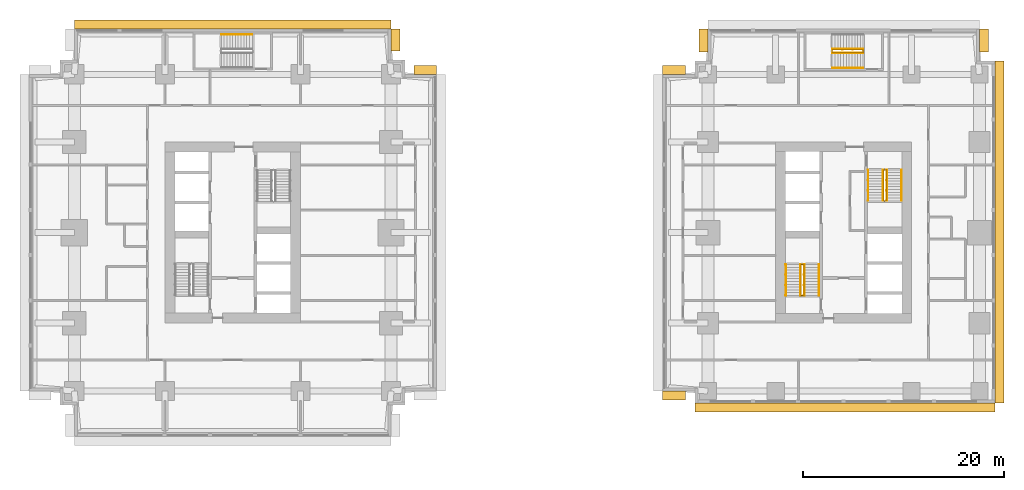
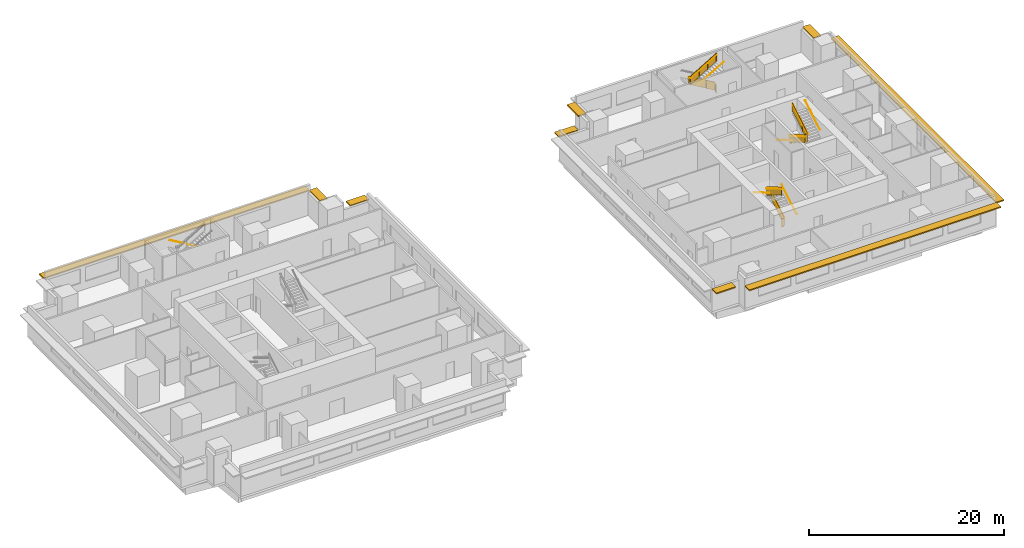
# One storey, part 10 of 11: 15 railings, 9 shading devices.
"""IFC4 building model written with IfcOpenShell, lengths in metres."""

from ifc_helpers import new_model, si_unit, direction, frame, origin, origin_2d, place, context, subcontext, project, spatial, polyline, rectangle, circle, outline, extrude, material, layer, layer_set, type_object, element, save


model = new_model("IFC4")

# Units and contexts
model_context = context("Model", 3, precision=1e-05, world=origin(), true_north=direction((0.0, 1.0)))
body_context = subcontext(model_context, "Body", "Model", "MODEL_VIEW")
ifc_project = project(units=[si_unit("LENGTHUNIT", "METRE"), si_unit("AREAUNIT", "SQUARE_METRE"), si_unit("VOLUMEUNIT", "CUBIC_METRE"), si_unit("PLANEANGLEUNIT", "RADIAN"), si_unit("MASSUNIT", "GRAM", prefix="KILO")], contexts=[model_context])

# Site, building, storey
site_placement = place(None, origin())
site = spatial("IfcSite", under=ifc_project, at=site_placement, CompositionType="ELEMENT")
building_placement = place(site_placement, origin())
building = spatial("IfcBuilding", under=site, at=building_placement, Name="Namib Vertical Campus", CompositionType="ELEMENT")
storey_placement = place(building_placement, frame((0.0, 0.0, 85.0)))
storey = spatial("IfcBuildingStorey", under=building, at=storey_placement, Name="L19", CompositionType="ELEMENT", Elevation=85.0)

# Railings
ifc_material_1 = material(Name="Steel handrail", Category="steel")
railing_type_1 = type_object("IfcRailingType", Name="Handrail 900", PredefinedType="HANDRAIL", material=ifc_material_1)
railing_1_placement = place(storey_placement, frame((78.550048828125, 14.0, 0.166748046875)))
element("IfcRailing", 1, at=railing_1_placement, inside=storey, type_object=railing_type_1, Name="Handrail HR1 B-S1 L19 1", PredefinedType="HANDRAIL", context=body_context, shape_type="SweptSolid", body=[
    extrude(circle(Radius=0.02392578125, at=origin_2d()), frame((0.0, 0.0, 0.8759765625), z_axis=(0.0, 0.859308565015, 0.511457515432), x_axis=(-1.0, 0.0, 0.0)), (0.0, 0.0, 1.0), 3.58447265625),
    extrude(circle(Radius=0.008056640625, at=origin_2d()), frame((0.0, 0.0, 0.8759765625), z_axis=(1.0, 0.0, 0.0), x_axis=(0.0, 0.0, 1.0)), (0.0, 0.0, 1.0), 0.050048828125),
    extrude(circle(Radius=0.008056640625, at=origin_2d()), frame((0.0, 1.026611328125, 1.48681640625), z_axis=(1.0, 0.0, 0.0), x_axis=(0.0, 0.0, 1.0)), (0.0, 0.0, 1.0), 0.050048828125),
    extrude(circle(Radius=0.008056640625, at=origin_2d()), frame((0.0, 2.053466796875, 2.09814453125), z_axis=(1.0, 0.0, 0.0), x_axis=(0.0, 0.0, 1.0)), (0.0, 0.0, 1.0), 0.050048828125),
    extrude(circle(Radius=0.008056640625, at=origin_2d()), frame((0.0, 3.080078125, 2.708984375), z_axis=(1.0, 0.0, 0.0), x_axis=(0.0, 0.0, 1.0)), (0.0, 0.0, 1.0), 0.050048828125),
])
railing_2_placement = place(storey_placement, frame((75.25, 17.080078125, 2.166748046875)))
element("IfcRailing", 2, at=railing_2_placement, inside=storey, type_object=railing_type_1, Name="Handrail HR1 B-S1 L19 2", PredefinedType="HANDRAIL", context=body_context, shape_type="SweptSolid", body=[
    extrude(circle(Radius=0.02392578125, at=origin_2d()), frame((0.0, 0.0, 0.8759765625), z_axis=(0.0, -0.859308565015, 0.511457515432), x_axis=(1.0, 0.0, 0.0)), (0.0, 0.0, 1.0), 3.58447265625),
    extrude(circle(Radius=0.008056640625, at=origin_2d()), frame((0.0, 0.0, 0.8759765625), z_axis=(-1.0, 0.0, 0.0), x_axis=(0.0, 0.0, 1.0)), (0.0, 0.0, 1.0), 0.050048828125),
    extrude(circle(Radius=0.008056640625, at=origin_2d()), frame((0.0, -1.026611328125, 1.48681640625), z_axis=(-1.0, 0.0, 0.0), x_axis=(0.0, 0.0, 1.0)), (0.0, 0.0, 1.0), 0.050048828125),
    extrude(circle(Radius=0.008056640625, at=origin_2d()), frame((0.0, -2.053466796875, 2.09814453125), z_axis=(-1.0, 0.0, 0.0), x_axis=(0.0, 0.0, 1.0)), (0.0, 0.0, 1.0), 0.050048828125),
    extrude(circle(Radius=0.008056640625, at=origin_2d()), frame((0.0, -3.080078125, 2.708984375), z_axis=(-1.0, 0.0, 0.0), x_axis=(0.0, 0.0, 1.0)), (0.0, 0.0, 1.0), 0.050048828125),
])
railing_3_placement = place(storey_placement, frame((77.10009765625, 14.0, 0.166748046875)))
element("IfcRailing", 3, at=railing_3_placement, inside=storey, type_object=railing_type_1, Name="Handrail HR1 B-S1 L19 1 at the well", PredefinedType="HANDRAIL", context=body_context, shape_type="SweptSolid", body=[
    extrude(circle(Radius=0.02392578125, at=origin_2d()), frame((0.0, 0.0, 0.8759765625), z_axis=(0.0, 0.859308565015, 0.511457515432), x_axis=(-1.0, 0.0, 0.0)), (0.0, 0.0, 1.0), 3.58447265625),
    extrude(circle(Radius=0.008056640625, at=origin_2d()), frame((0.0, 0.0, 0.8759765625), z_axis=(-1.0, 0.0, 0.0), x_axis=(0.0, 0.0, 1.0)), (0.0, 0.0, 1.0), 0.0400390625),
    extrude(circle(Radius=0.008056640625, at=origin_2d()), frame((0.0, 1.026611328125, 1.48681640625), z_axis=(-1.0, 0.0, 0.0), x_axis=(0.0, 0.0, 1.0)), (0.0, 0.0, 1.0), 0.0400390625),
    extrude(circle(Radius=0.008056640625, at=origin_2d()), frame((0.0, 2.053466796875, 2.09814453125), z_axis=(-1.0, 0.0, 0.0), x_axis=(0.0, 0.0, 1.0)), (0.0, 0.0, 1.0), 0.0400390625),
    extrude(circle(Radius=0.008056640625, at=origin_2d()), frame((0.0, 3.080078125, 2.708984375), z_axis=(-1.0, 0.0, 0.0), x_axis=(0.0, 0.0, 1.0)), (0.0, 0.0, 1.0), 0.0400390625),
])
railing_4_placement = place(storey_placement, frame((76.699951171875, 17.080078125, 2.166748046875)))
element("IfcRailing", 4, at=railing_4_placement, inside=storey, type_object=railing_type_1, Name="Handrail HR1 B-S1 L19 2 at the well", PredefinedType="HANDRAIL", context=body_context, shape_type="SweptSolid", body=[
    extrude(circle(Radius=0.02392578125, at=origin_2d()), frame((0.0, 0.0, 0.8759765625), z_axis=(0.0, -0.859308565015, 0.511457515432), x_axis=(1.0, 0.0, 0.0)), (0.0, 0.0, 1.0), 3.58447265625),
    extrude(circle(Radius=0.008056640625, at=origin_2d()), frame((0.0, 0.0, 0.8759765625), z_axis=(1.0, 0.0, 0.0), x_axis=(0.0, 0.0, 1.0)), (0.0, 0.0, 1.0), 0.0400390625),
    extrude(circle(Radius=0.008056640625, at=origin_2d()), frame((0.0, -1.026611328125, 1.48681640625), z_axis=(1.0, 0.0, 0.0), x_axis=(0.0, 0.0, 1.0)), (0.0, 0.0, 1.0), 0.0400390625),
    extrude(circle(Radius=0.008056640625, at=origin_2d()), frame((0.0, -2.053466796875, 2.09814453125), z_axis=(1.0, 0.0, 0.0), x_axis=(0.0, 0.0, 1.0)), (0.0, 0.0, 1.0), 0.0400390625),
    extrude(circle(Radius=0.008056640625, at=origin_2d()), frame((0.0, -3.080078125, 2.708984375), z_axis=(1.0, 0.0, 0.0), x_axis=(0.0, 0.0, 1.0)), (0.0, 0.0, 1.0), 0.0400390625),
])
railing_5_placement = place(storey_placement, frame((83.449951171875, 26.5, 0.166748046875)))
element("IfcRailing", 5, at=railing_5_placement, inside=storey, type_object=railing_type_1, Name="Handrail HR1 B-S2 L19 1", PredefinedType="HANDRAIL", context=body_context, shape_type="SweptSolid", body=[
    extrude(circle(Radius=0.02392578125, at=origin_2d()), frame((0.0, 0.0, 0.8759765625), z_axis=(0.0, -0.859308565015, 0.511457515432), x_axis=(1.0, 0.0, 0.0)), (0.0, 0.0, 1.0), 3.58447265625),
    extrude(circle(Radius=0.008056640625, at=origin_2d()), frame((0.0, 0.0, 0.8759765625), z_axis=(-1.0, 0.0, 0.0), x_axis=(0.0, 0.0, 1.0)), (0.0, 0.0, 1.0), 0.050048828125),
    extrude(circle(Radius=0.008056640625, at=origin_2d()), frame((0.0, -1.026611328125, 1.48681640625), z_axis=(-1.0, 0.0, 0.0), x_axis=(0.0, 0.0, 1.0)), (0.0, 0.0, 1.0), 0.050048828125),
    extrude(circle(Radius=0.008056640625, at=origin_2d()), frame((0.0, -2.053466796875, 2.09814453125), z_axis=(-1.0, 0.0, 0.0), x_axis=(0.0, 0.0, 1.0)), (0.0, 0.0, 1.0), 0.050048828125),
    extrude(circle(Radius=0.008056640625, at=origin_2d()), frame((0.0, -3.080078125, 2.708984375), z_axis=(-1.0, 0.0, 0.0), x_axis=(0.0, 0.0, 1.0)), (0.0, 0.0, 1.0), 0.050048828125),
])
railing_6_placement = place(storey_placement, frame((86.75, 23.419921875, 2.166748046875)))
element("IfcRailing", 6, at=railing_6_placement, inside=storey, type_object=railing_type_1, Name="Handrail HR1 B-S2 L19 2", PredefinedType="HANDRAIL", context=body_context, shape_type="SweptSolid", body=[
    extrude(circle(Radius=0.02392578125, at=origin_2d()), frame((0.0, 0.0, 0.8759765625), z_axis=(0.0, 0.859308565015, 0.511457515432), x_axis=(-1.0, 0.0, 0.0)), (0.0, 0.0, 1.0), 3.58447265625),
    extrude(circle(Radius=0.008056640625, at=origin_2d()), frame((0.0, 0.0, 0.8759765625), z_axis=(1.0, 0.0, 0.0), x_axis=(0.0, 0.0, 1.0)), (0.0, 0.0, 1.0), 0.050048828125),
    extrude(circle(Radius=0.008056640625, at=origin_2d()), frame((0.0, 1.026611328125, 1.48681640625), z_axis=(1.0, 0.0, 0.0), x_axis=(0.0, 0.0, 1.0)), (0.0, 0.0, 1.0), 0.050048828125),
    extrude(circle(Radius=0.008056640625, at=origin_2d()), frame((0.0, 2.053466796875, 2.09814453125), z_axis=(1.0, 0.0, 0.0), x_axis=(0.0, 0.0, 1.0)), (0.0, 0.0, 1.0), 0.050048828125),
    extrude(circle(Radius=0.008056640625, at=origin_2d()), frame((0.0, 3.080078125, 2.708984375), z_axis=(1.0, 0.0, 0.0), x_axis=(0.0, 0.0, 1.0)), (0.0, 0.0, 1.0), 0.050048828125),
])
railing_7_placement = place(storey_placement, frame((84.89990234375, 26.5, 0.166748046875)))
element("IfcRailing", 7, at=railing_7_placement, inside=storey, type_object=railing_type_1, Name="Handrail HR1 B-S2 L19 1 at the well", PredefinedType="HANDRAIL", context=body_context, shape_type="SweptSolid", body=[
    extrude(circle(Radius=0.02392578125, at=origin_2d()), frame((0.0, 0.0, 0.8759765625), z_axis=(0.0, -0.859308565015, 0.511457515432), x_axis=(1.0, 0.0, 0.0)), (0.0, 0.0, 1.0), 3.58447265625),
    extrude(circle(Radius=0.008056640625, at=origin_2d()), frame((0.0, 0.0, 0.8759765625), z_axis=(1.0, 0.0, 0.0), x_axis=(0.0, 0.0, 1.0)), (0.0, 0.0, 1.0), 0.0400390625),
    extrude(circle(Radius=0.008056640625, at=origin_2d()), frame((0.0, -1.026611328125, 1.48681640625), z_axis=(1.0, 0.0, 0.0), x_axis=(0.0, 0.0, 1.0)), (0.0, 0.0, 1.0), 0.0400390625),
    extrude(circle(Radius=0.008056640625, at=origin_2d()), frame((0.0, -2.053466796875, 2.09814453125), z_axis=(1.0, 0.0, 0.0), x_axis=(0.0, 0.0, 1.0)), (0.0, 0.0, 1.0), 0.0400390625),
    extrude(circle(Radius=0.008056640625, at=origin_2d()), frame((0.0, -3.080078125, 2.708984375), z_axis=(1.0, 0.0, 0.0), x_axis=(0.0, 0.0, 1.0)), (0.0, 0.0, 1.0), 0.0400390625),
])
railing_8_placement = place(storey_placement, frame((85.300048828125, 23.419921875, 2.166748046875)))
element("IfcRailing", 8, at=railing_8_placement, inside=storey, type_object=railing_type_1, Name="Handrail HR1 B-S2 L19 2 at the well", PredefinedType="HANDRAIL", context=body_context, shape_type="SweptSolid", body=[
    extrude(circle(Radius=0.02392578125, at=origin_2d()), frame((0.0, 0.0, 0.8759765625), z_axis=(0.0, 0.859308565015, 0.511457515432), x_axis=(-1.0, 0.0, 0.0)), (0.0, 0.0, 1.0), 3.58447265625),
    extrude(circle(Radius=0.008056640625, at=origin_2d()), frame((0.0, 0.0, 0.8759765625), z_axis=(-1.0, 0.0, 0.0), x_axis=(0.0, 0.0, 1.0)), (0.0, 0.0, 1.0), 0.0400390625),
    extrude(circle(Radius=0.008056640625, at=origin_2d()), frame((0.0, 1.026611328125, 1.48681640625), z_axis=(-1.0, 0.0, 0.0), x_axis=(0.0, 0.0, 1.0)), (0.0, 0.0, 1.0), 0.0400390625),
    extrude(circle(Radius=0.008056640625, at=origin_2d()), frame((0.0, 2.053466796875, 2.09814453125), z_axis=(-1.0, 0.0, 0.0), x_axis=(0.0, 0.0, 1.0)), (0.0, 0.0, 1.0), 0.0400390625),
    extrude(circle(Radius=0.008056640625, at=origin_2d()), frame((0.0, 3.080078125, 2.708984375), z_axis=(-1.0, 0.0, 0.0), x_axis=(0.0, 0.0, 1.0)), (0.0, 0.0, 1.0), 0.0400390625),
])
railing_9_placement = place(storey_placement, frame((22.199951171875, 39.949951171875, 0.166748046875)))
element("IfcRailing", 9, at=railing_9_placement, inside=storey, type_object=railing_type_1, Name="Handrail HR1 A-S3 L19 1", PredefinedType="HANDRAIL", context=body_context, shape_type="SweptSolid", body=[
    extrude(circle(Radius=0.02392578125, at=origin_2d()), frame((0.0, 0.0, 0.8759765625), z_axis=(-0.859290745958, 0.0, 0.51148745235), x_axis=(0.0, -1.0, 0.0)), (0.0, 0.0, 1.0), 3.584228515625),
    extrude(circle(Radius=0.008056640625, at=origin_2d()), frame((0.0, 0.0, 0.8759765625), z_axis=(0.0, 1.0, 0.0), x_axis=(0.0, 0.0, 1.0)), (0.0, 0.0, 1.0), 0.050048828125),
    extrude(circle(Radius=0.008056640625, at=origin_2d()), frame((-1.026611328125, 0.0, 1.48681640625), z_axis=(0.0, 1.0, 0.0), x_axis=(0.0, 0.0, 1.0)), (0.0, 0.0, 1.0), 0.050048828125),
    extrude(circle(Radius=0.008056640625, at=origin_2d()), frame((-2.05322265625, 0.0, 2.09814453125), z_axis=(0.0, 1.0, 0.0), x_axis=(0.0, 0.0, 1.0)), (0.0, 0.0, 1.0), 0.050048828125),
    extrude(circle(Radius=0.008056640625, at=origin_2d()), frame((-3.079833984375, 0.0, 2.708984375), z_axis=(0.0, 1.0, 0.0), x_axis=(0.0, 0.0, 1.0)), (0.0, 0.0, 1.0), 0.050048828125),
])
railing_10_placement = place(storey_placement, frame((79.8701171875, 36.64990234375, 2.166748046875)))
element("IfcRailing", 10, at=railing_10_placement, inside=storey, type_object=railing_type_1, Name="Handrail HR1 B-S3 L19 2", PredefinedType="HANDRAIL", context=body_context, shape_type="SweptSolid", body=[
    extrude(circle(Radius=0.02392578125, at=origin_2d()), frame((0.0, 0.0, 0.8759765625), z_axis=(0.859290745958, 0.0, 0.51148745235), x_axis=(0.0, 1.0, 0.0)), (0.0, 0.0, 1.0), 3.584228515625),
    extrude(circle(Radius=0.008056640625, at=origin_2d()), frame((0.0, 0.0, 0.8759765625), z_axis=(0.0, -1.0, 0.0), x_axis=(0.0, 0.0, 1.0)), (0.0, 0.0, 1.0), 0.050048828125),
    extrude(circle(Radius=0.008056640625, at=origin_2d()), frame((1.026611328125, 0.0, 1.48681640625), z_axis=(0.0, -1.0, 0.0), x_axis=(0.0, 0.0, 1.0)), (0.0, 0.0, 1.0), 0.050048828125),
    extrude(circle(Radius=0.008056640625, at=origin_2d()), frame((2.05322265625, 0.0, 2.09814453125), z_axis=(0.0, -1.0, 0.0), x_axis=(0.0, 0.0, 1.0)), (0.0, 0.0, 1.0), 0.050048828125),
    extrude(circle(Radius=0.008056640625, at=origin_2d()), frame((3.079833984375, 0.0, 2.708984375), z_axis=(0.0, -1.0, 0.0), x_axis=(0.0, 0.0, 1.0)), (0.0, 0.0, 1.0), 0.050048828125),
])
railing_11_placement = place(storey_placement, frame((82.949951171875, 38.5, 0.166748046875)))
element("IfcRailing", 11, at=railing_11_placement, inside=storey, type_object=railing_type_1, Name="Handrail HR1 B-S3 L19 1 at the well", PredefinedType="HANDRAIL", context=body_context, shape_type="SweptSolid", body=[
    extrude(circle(Radius=0.02392578125, at=origin_2d()), frame((0.0, 0.0, 0.8759765625), z_axis=(-0.859290745958, 0.0, 0.51148745235), x_axis=(0.0, -1.0, 0.0)), (0.0, 0.0, 1.0), 3.584228515625),
    extrude(circle(Radius=0.008056640625, at=origin_2d()), frame((0.0, 0.0, 0.8759765625), z_axis=(0.0, -1.0, 0.0), x_axis=(0.0, 0.0, 1.0)), (0.0, 0.0, 1.0), 0.0400390625),
    extrude(circle(Radius=0.008056640625, at=origin_2d()), frame((-1.026611328125, 0.0, 1.48681640625), z_axis=(0.0, -1.0, 0.0), x_axis=(0.0, 0.0, 1.0)), (0.0, 0.0, 1.0), 0.0400390625),
    extrude(circle(Radius=0.008056640625, at=origin_2d()), frame((-2.05322265625, 0.0, 2.09814453125), z_axis=(0.0, -1.0, 0.0), x_axis=(0.0, 0.0, 1.0)), (0.0, 0.0, 1.0), 0.0400390625),
    extrude(circle(Radius=0.008056640625, at=origin_2d()), frame((-3.079833984375, 0.0, 2.708984375), z_axis=(0.0, -1.0, 0.0), x_axis=(0.0, 0.0, 1.0)), (0.0, 0.0, 1.0), 0.0400390625),
])
railing_12_placement = place(storey_placement, frame((79.8701171875, 38.10009765625, 2.166748046875)))
element("IfcRailing", 12, at=railing_12_placement, inside=storey, type_object=railing_type_1, Name="Handrail HR1 B-S3 L19 2 at the well", PredefinedType="HANDRAIL", context=body_context, shape_type="SweptSolid", body=[
    extrude(circle(Radius=0.02392578125, at=origin_2d()), frame((0.0, 0.0, 0.8759765625), z_axis=(0.859290745958, 0.0, 0.51148745235), x_axis=(0.0, 1.0, 0.0)), (0.0, 0.0, 1.0), 3.584228515625),
    extrude(circle(Radius=0.008056640625, at=origin_2d()), frame((0.0, 0.0, 0.8759765625), z_axis=(0.0, 1.0, 0.0), x_axis=(0.0, 0.0, 1.0)), (0.0, 0.0, 1.0), 0.0400390625),
    extrude(circle(Radius=0.008056640625, at=origin_2d()), frame((1.026611328125, 0.0, 1.48681640625), z_axis=(0.0, 1.0, 0.0), x_axis=(0.0, 0.0, 1.0)), (0.0, 0.0, 1.0), 0.0400390625),
    extrude(circle(Radius=0.008056640625, at=origin_2d()), frame((2.05322265625, 0.0, 2.09814453125), z_axis=(0.0, 1.0, 0.0), x_axis=(0.0, 0.0, 1.0)), (0.0, 0.0, 1.0), 0.0400390625),
    extrude(circle(Radius=0.008056640625, at=origin_2d()), frame((3.079833984375, 0.0, 2.708984375), z_axis=(0.0, 1.0, 0.0), x_axis=(0.0, 0.0, 1.0)), (0.0, 0.0, 1.0), 0.0400390625),
])
ifc_material_2 = material(Name="Steel balustrade", Category="steel")
railing_type_2 = type_object("IfcRailingType", Name="Stair guard 1100", PredefinedType="GUARDRAIL", material=ifc_material_2)
railing_13_placement = place(storey_placement, frame((76.75, 14.0, 0.0)))
element("IfcRailing", 13, at=railing_13_placement, inside=storey, type_object=railing_type_2, Name="Stair guard GR1 B-S1 L19", PredefinedType="GUARDRAIL", context=body_context, shape_type="SweptSolid", body=[
    extrude(circle(Radius=0.02392578125, at=origin_2d()), frame((0.0, 0.0, 1.076171875), z_axis=(1.0, 0.0, 0.0), x_axis=(0.0, 1.0, 0.0)), (0.0, 0.0, 1.0), 0.300048828125),
    extrude(outline(polyline([(0.02099609375, 0.050048828125), (0.279052734375, 0.050048828125), (0.279052734375, 1.052001953125), (0.02099609375, 1.052001953125), (0.02099609375, 0.050048828125)])), frame((0.0, 0.010009765625, 0.0), z_axis=(0.0, -1.0, 0.0), x_axis=(1.0, 0.0, 0.0)), (0.0, 0.0, 1.0), 0.02001953125),
    extrude(circle(Radius=0.02392578125, at=origin_2d()), frame((0.300048828125, 0.0, 1.076171875), z_axis=(0.0, 0.0, 1.0), x_axis=(1.0, 0.0, 0.0)), (0.0, 0.0, 1.0), 0.166748046875),
    extrude(circle(Radius=0.02392578125, at=origin_2d()), frame((0.300048828125, 0.0, 1.24267578125), z_axis=(0.0, 0.859308565015, 0.511457515432), x_axis=(-1.0, 0.0, 0.0)), (0.0, 0.0, 1.0), 3.58447265625),
    extrude(outline(polyline([(0.02099609375, 0.0625), (3.05908203125, 1.870849609375), (3.05908203125, 2.872802734375), (0.02099609375, 1.064453125), (0.02099609375, 0.0625)])), frame((0.2900390625, 0.0, 0.166748046875), z_axis=(1.0, 0.0, 0.0), x_axis=(0.0, 1.0, 0.0)), (0.0, 0.0, 1.0), 0.02001953125),
    extrude(circle(Radius=0.02392578125, at=origin_2d()), frame((0.300048828125, 3.080078125, 3.076171875), z_axis=(-1.0, 0.0, 0.0), x_axis=(0.0, -1.0, 0.0)), (0.0, 0.0, 1.0), 0.300048828125),
    extrude(outline(polyline([(0.02099609375, 0.050048828125), (0.279052734375, 0.050048828125), (0.279052734375, 1.052001953125), (0.02099609375, 1.052001953125), (0.02099609375, 0.050048828125)])), frame((0.300048828125, 3.070068359375, 2.0), z_axis=(0.0, 1.0, 0.0), x_axis=(-1.0, 0.0, 0.0)), (0.0, 0.0, 1.0), 0.02001953125),
    extrude(circle(Radius=0.02392578125, at=origin_2d()), frame((0.0, 3.080078125, 3.076171875), z_axis=(0.0, 0.0, 1.0), x_axis=(1.0, 0.0, 0.0)), (0.0, 0.0, 1.0), 0.166748046875),
    extrude(circle(Radius=0.02392578125, at=origin_2d()), frame((0.0, 3.080078125, 3.24267578125), z_axis=(0.0, -0.859308565015, 0.511457515432), x_axis=(1.0, 0.0, 0.0)), (0.0, 0.0, 1.0), 3.58447265625),
    extrude(outline(polyline([(0.02099609375, 0.0625), (3.05908203125, 1.870849609375), (3.05908203125, 2.872802734375), (0.02099609375, 1.064453125), (0.02099609375, 0.0625)])), frame((0.010009765625, 3.080078125, 2.166748046875), z_axis=(-1.0, 0.0, 0.0), x_axis=(0.0, -1.0, 0.0)), (0.0, 0.0, 1.0), 0.02001953125),
    extrude(circle(Radius=0.02392578125, at=origin_2d()), frame((0.0, 0.0, 5.076171875), z_axis=(0.0, -1.0, 0.0), x_axis=(1.0, 0.0, 0.0)), (0.0, 0.0, 1.0), 0.050048828125),
    extrude(outline(polyline([(0.02099609375, 0.050048828125), (0.029052734375, 0.050048828125), (0.029052734375, 1.052001953125), (0.02099609375, 1.052001953125), (0.02099609375, 0.050048828125)])), frame((0.010009765625, 0.0, 4.0), z_axis=(-1.0, 0.0, 0.0), x_axis=(0.0, -1.0, 0.0)), (0.0, 0.0, 1.0), 0.02001953125),
    extrude(circle(Radius=0.02099609375, at=origin_2d()), origin(), (0.0, 0.0, 1.0), 1.052001953125),
    extrude(circle(Radius=0.02099609375, at=origin_2d()), frame((0.300048828125, 0.0, 0.166748046875)), (0.0, 0.0, 1.0), 1.052001953125),
    extrude(circle(Radius=0.02099609375, at=origin_2d()), frame((0.300048828125, 1.026611328125, 0.666748046875)), (0.0, 0.0, 1.0), 1.1630859375),
    extrude(circle(Radius=0.02099609375, at=origin_2d()), frame((0.300048828125, 2.053466796875, 1.33349609375)), (0.0, 0.0, 1.0), 1.107421875),
    extrude(circle(Radius=0.02099609375, at=origin_2d()), frame((0.300048828125, 3.080078125, 2.0)), (0.0, 0.0, 1.0), 1.052001953125),
    extrude(circle(Radius=0.02099609375, at=origin_2d()), frame((0.0, 3.080078125, 2.166748046875)), (0.0, 0.0, 1.0), 1.052001953125),
    extrude(circle(Radius=0.02099609375, at=origin_2d()), frame((0.0, 2.053466796875, 2.666748046875)), (0.0, 0.0, 1.0), 1.1630859375),
    extrude(circle(Radius=0.02099609375, at=origin_2d()), frame((0.0, 1.026611328125, 3.33349609375)), (0.0, 0.0, 1.0), 1.107421875),
    extrude(circle(Radius=0.02099609375, at=origin_2d()), frame((0.0, 0.0, 4.0)), (0.0, 0.0, 1.0), 1.052001953125),
    extrude(circle(Radius=0.02099609375, at=origin_2d()), frame((0.0, -0.050048828125, 4.0)), (0.0, 0.0, 1.0), 1.052001953125),
])
railing_14_placement = place(storey_placement, frame((85.25, 26.5, 0.0)))
element("IfcRailing", 14, at=railing_14_placement, inside=storey, type_object=railing_type_2, Name="Stair guard GR1 B-S2 L19", PredefinedType="GUARDRAIL", context=body_context, shape_type="SweptSolid", body=[
    extrude(circle(Radius=0.02392578125, at=origin_2d()), frame((0.0, 0.0, 1.076171875), z_axis=(-1.0, 0.0, 0.0), x_axis=(0.0, -1.0, 0.0)), (0.0, 0.0, 1.0), 0.300048828125),
    extrude(outline(polyline([(0.02099609375, 0.050048828125), (0.279052734375, 0.050048828125), (0.279052734375, 1.052001953125), (0.02099609375, 1.052001953125), (0.02099609375, 0.050048828125)])), frame((0.0, -0.010009765625, 0.0), z_axis=(0.0, 1.0, 0.0), x_axis=(-1.0, 0.0, 0.0)), (0.0, 0.0, 1.0), 0.02001953125),
    extrude(circle(Radius=0.02392578125, at=origin_2d()), frame((-0.300048828125, 0.0, 1.076171875), z_axis=(0.0, 0.0, 1.0), x_axis=(1.0, 0.0, 0.0)), (0.0, 0.0, 1.0), 0.166748046875),
    extrude(circle(Radius=0.02392578125, at=origin_2d()), frame((-0.300048828125, 0.0, 1.24267578125), z_axis=(0.0, -0.859308565015, 0.511457515432), x_axis=(1.0, 0.0, 0.0)), (0.0, 0.0, 1.0), 3.58447265625),
    extrude(outline(polyline([(0.02099609375, 0.0625), (3.05908203125, 1.870849609375), (3.05908203125, 2.872802734375), (0.02099609375, 1.064453125), (0.02099609375, 0.0625)])), frame((-0.2900390625, 0.0, 0.166748046875), z_axis=(-1.0, 0.0, 0.0), x_axis=(0.0, -1.0, 0.0)), (0.0, 0.0, 1.0), 0.02001953125),
    extrude(circle(Radius=0.02392578125, at=origin_2d()), frame((-0.300048828125, -3.080078125, 3.076171875), z_axis=(1.0, 0.0, 0.0), x_axis=(0.0, 1.0, 0.0)), (0.0, 0.0, 1.0), 0.300048828125),
    extrude(outline(polyline([(0.02099609375, 0.050048828125), (0.279052734375, 0.050048828125), (0.279052734375, 1.052001953125), (0.02099609375, 1.052001953125), (0.02099609375, 0.050048828125)])), frame((-0.300048828125, -3.070068359375, 2.0), z_axis=(0.0, -1.0, 0.0), x_axis=(1.0, 0.0, 0.0)), (0.0, 0.0, 1.0), 0.02001953125),
    extrude(circle(Radius=0.02392578125, at=origin_2d()), frame((0.0, -3.080078125, 3.076171875), z_axis=(0.0, 0.0, 1.0), x_axis=(1.0, 0.0, 0.0)), (0.0, 0.0, 1.0), 0.166748046875),
    extrude(circle(Radius=0.02392578125, at=origin_2d()), frame((0.0, -3.080078125, 3.24267578125), z_axis=(0.0, 0.859308565015, 0.511457515432), x_axis=(-1.0, 0.0, 0.0)), (0.0, 0.0, 1.0), 3.58447265625),
    extrude(outline(polyline([(0.02099609375, 0.0625), (3.05908203125, 1.870849609375), (3.05908203125, 2.872802734375), (0.02099609375, 1.064453125), (0.02099609375, 0.0625)])), frame((-0.010009765625, -3.080078125, 2.166748046875), z_axis=(1.0, 0.0, 0.0), x_axis=(0.0, 1.0, 0.0)), (0.0, 0.0, 1.0), 0.02001953125),
    extrude(circle(Radius=0.02392578125, at=origin_2d()), frame((0.0, 0.0, 5.076171875), z_axis=(0.0, 1.0, 0.0), x_axis=(-1.0, 0.0, 0.0)), (0.0, 0.0, 1.0), 0.050048828125),
    extrude(outline(polyline([(0.02099609375, 0.050048828125), (0.029052734375, 0.050048828125), (0.029052734375, 1.052001953125), (0.02099609375, 1.052001953125), (0.02099609375, 0.050048828125)])), frame((-0.010009765625, 0.0, 4.0), z_axis=(1.0, 0.0, 0.0), x_axis=(0.0, 1.0, 0.0)), (0.0, 0.0, 1.0), 0.02001953125),
    extrude(circle(Radius=0.02099609375, at=origin_2d()), origin(), (0.0, 0.0, 1.0), 1.052001953125),
    extrude(circle(Radius=0.02099609375, at=origin_2d()), frame((-0.300048828125, 0.0, 0.166748046875)), (0.0, 0.0, 1.0), 1.052001953125),
    extrude(circle(Radius=0.02099609375, at=origin_2d()), frame((-0.300048828125, -1.026611328125, 0.666748046875)), (0.0, 0.0, 1.0), 1.1630859375),
    extrude(circle(Radius=0.02099609375, at=origin_2d()), frame((-0.300048828125, -2.053466796875, 1.33349609375)), (0.0, 0.0, 1.0), 1.107421875),
    extrude(circle(Radius=0.02099609375, at=origin_2d()), frame((-0.300048828125, -3.080078125, 2.0)), (0.0, 0.0, 1.0), 1.052001953125),
    extrude(circle(Radius=0.02099609375, at=origin_2d()), frame((0.0, -3.080078125, 2.166748046875)), (0.0, 0.0, 1.0), 1.052001953125),
    extrude(circle(Radius=0.02099609375, at=origin_2d()), frame((0.0, -2.053466796875, 2.666748046875)), (0.0, 0.0, 1.0), 1.1630859375),
    extrude(circle(Radius=0.02099609375, at=origin_2d()), frame((0.0, -1.026611328125, 3.33349609375)), (0.0, 0.0, 1.0), 1.107421875),
    extrude(circle(Radius=0.02099609375, at=origin_2d()), frame((0.0, 0.0, 4.0)), (0.0, 0.0, 1.0), 1.052001953125),
    extrude(circle(Radius=0.02099609375, at=origin_2d()), frame((0.0, 0.050048828125, 4.0)), (0.0, 0.0, 1.0), 1.052001953125),
])
railing_15_placement = place(storey_placement, frame((82.949951171875, 38.14990234375, 0.0)))
element("IfcRailing", 15, at=railing_15_placement, inside=storey, type_object=railing_type_2, Name="Stair guard GR1 B-S3 L19", PredefinedType="GUARDRAIL", context=body_context, shape_type="SweptSolid", body=[
    extrude(circle(Radius=0.02392578125, at=origin_2d()), frame((0.0, 0.0, 1.076171875), z_axis=(0.0, 1.0, 0.0), x_axis=(-1.0, 0.0, 0.0)), (0.0, 0.0, 1.0), 0.300048828125),
    extrude(outline(polyline([(0.02099609375, 0.050048828125), (0.279052734375, 0.050048828125), (0.279052734375, 1.052001953125), (0.02099609375, 1.052001953125), (0.02099609375, 0.050048828125)])), frame((-0.010009765625, 0.0, 0.0), z_axis=(1.0, 0.0, 0.0), x_axis=(0.0, 1.0, 0.0)), (0.0, 0.0, 1.0), 0.02001953125),
    extrude(circle(Radius=0.02392578125, at=origin_2d()), frame((0.0, 0.300048828125, 1.076171875), z_axis=(0.0, 0.0, 1.0), x_axis=(1.0, 0.0, 0.0)), (0.0, 0.0, 1.0), 0.166748046875),
    extrude(circle(Radius=0.02392578125, at=origin_2d()), frame((0.0, 0.300048828125, 1.24267578125), z_axis=(-0.859290745958, 0.0, 0.51148745235), x_axis=(0.0, -1.0, 0.0)), (0.0, 0.0, 1.0), 3.584228515625),
    extrude(outline(polyline([(0.02099609375, 0.0625), (3.058837890625, 1.870849609375), (3.058837890625, 2.872802734375), (0.02099609375, 1.064453125), (0.02099609375, 0.0625)])), frame((0.0, 0.2900390625, 0.166748046875), z_axis=(0.0, 1.0, 0.0), x_axis=(-1.0, 0.0, 0.0)), (0.0, 0.0, 1.0), 0.02001953125),
    extrude(circle(Radius=0.02392578125, at=origin_2d()), frame((-3.079833984375, 0.300048828125, 3.076171875), z_axis=(0.0, -1.0, 0.0), x_axis=(1.0, 0.0, 0.0)), (0.0, 0.0, 1.0), 0.300048828125),
    extrude(outline(polyline([(0.02099609375, 0.050048828125), (0.279052734375, 0.050048828125), (0.279052734375, 1.052001953125), (0.02099609375, 1.052001953125), (0.02099609375, 0.050048828125)])), frame((-3.06982421875, 0.300048828125, 2.0), z_axis=(-1.0, 0.0, 0.0), x_axis=(0.0, -1.0, 0.0)), (0.0, 0.0, 1.0), 0.02001953125),
    extrude(circle(Radius=0.02392578125, at=origin_2d()), frame((-3.079833984375, 0.0, 3.076171875), z_axis=(0.0, 0.0, 1.0), x_axis=(1.0, 0.0, 0.0)), (0.0, 0.0, 1.0), 0.166748046875),
    extrude(circle(Radius=0.02392578125, at=origin_2d()), frame((-3.079833984375, 0.0, 3.24267578125), z_axis=(0.859290745958, 0.0, 0.51148745235), x_axis=(0.0, 1.0, 0.0)), (0.0, 0.0, 1.0), 3.584228515625),
    extrude(outline(polyline([(0.02099609375, 0.0625), (3.058837890625, 1.870849609375), (3.058837890625, 2.872802734375), (0.02099609375, 1.064453125), (0.02099609375, 0.0625)])), frame((-3.079833984375, 0.010009765625, 2.166748046875), z_axis=(0.0, -1.0, 0.0), x_axis=(1.0, 0.0, 0.0)), (0.0, 0.0, 1.0), 0.02001953125),
    extrude(circle(Radius=0.02392578125, at=origin_2d()), frame((0.0, 0.0, 5.076171875), z_axis=(1.0, 0.0, 0.0), x_axis=(0.0, 1.0, 0.0)), (0.0, 0.0, 1.0), 0.050048828125),
    extrude(outline(polyline([(0.02099609375, 0.050048828125), (0.029052734375, 0.050048828125), (0.029052734375, 1.052001953125), (0.02099609375, 1.052001953125), (0.02099609375, 0.050048828125)])), frame((0.0, 0.010009765625, 4.0), z_axis=(0.0, -1.0, 0.0), x_axis=(1.0, 0.0, 0.0)), (0.0, 0.0, 1.0), 0.02001953125),
    extrude(circle(Radius=0.02099609375, at=origin_2d()), origin(), (0.0, 0.0, 1.0), 1.052001953125),
    extrude(circle(Radius=0.02099609375, at=origin_2d()), frame((0.0, 0.300048828125, 0.166748046875)), (0.0, 0.0, 1.0), 1.052001953125),
    extrude(circle(Radius=0.02099609375, at=origin_2d()), frame((-1.026611328125, 0.300048828125, 0.666748046875)), (0.0, 0.0, 1.0), 1.1630859375),
    extrude(circle(Radius=0.02099609375, at=origin_2d()), frame((-2.05322265625, 0.300048828125, 1.33349609375)), (0.0, 0.0, 1.0), 1.107421875),
    extrude(circle(Radius=0.02099609375, at=origin_2d()), frame((-3.079833984375, 0.300048828125, 2.0)), (0.0, 0.0, 1.0), 1.052001953125),
    extrude(circle(Radius=0.02099609375, at=origin_2d()), frame((-3.079833984375, 0.0, 2.166748046875)), (0.0, 0.0, 1.0), 1.052001953125),
    extrude(circle(Radius=0.02099609375, at=origin_2d()), frame((-2.05322265625, 0.0, 2.666748046875)), (0.0, 0.0, 1.0), 1.1630859375),
    extrude(circle(Radius=0.02099609375, at=origin_2d()), frame((-1.026611328125, 0.0, 3.33349609375)), (0.0, 0.0, 1.0), 1.107421875),
    extrude(circle(Radius=0.02099609375, at=origin_2d()), frame((0.0, 0.0, 4.0)), (0.0, 0.0, 1.0), 1.052001953125),
    extrude(circle(Radius=0.02099609375, at=origin_2d()), frame((0.050048828125, 0.0, 4.0)), (0.0, 0.0, 1.0), 1.052001953125),
])

# Shading devices
ifc_material_3 = material(Name="Concrete C40/50 precast", Category="concrete")
ifc_layer = layer(ifc_material_3, 0.14990234375)
ifc_layer_set = layer_set([ifc_layer], Name="Concrete C40/50 precast")
shading_device_type = type_object("IfcShadingDeviceType", Name="Sunshade hood 900", PredefinedType="SHUTTER", material=ifc_layer_set)
for number, where, z_axis, x_axis, name in (
    (16, (39.39990234375, 36.449951171875, 2.75), (0.0, 0.0, 1.0), (-1.0, 0.0, 0.0), "Sunshade SH1 L19 7"),
    (17, (36.449951171875, 39.39990234375, 2.75), (0.0, 0.0, 1.0), (0.0, 1.0, 0.0), "Sunshade SH1 L19 10"),
):
    element("IfcShadingDevice", number, at=place(storey_placement, frame(where, z_axis=z_axis, x_axis=x_axis)), inside=storey, type_object=shading_device_type, Name=name, PredefinedType="SHUTTER", context=body_context, shape_type="SweptSolid", body=[
        extrude(rectangle(XDim=2.199951171875, YDim=0.89990234375, at=origin_2d()), origin(), (0.0, 0.0, 1.0), 0.14990234375),
    ])
shading_device_1_placement = place(storey_placement, frame((20.25, 40.949951171875, 2.75), z_axis=(0.0, 0.0, 1.0), x_axis=(-1.0, 0.0, 0.0)))
element("IfcShadingDevice", 18, at=shading_device_1_placement, inside=storey, type_object=shading_device_type, Name="Sunshade SH1 L19 11", PredefinedType="SHUTTER", context=body_context, shape_type="SweptSolid", body=[
    extrude(rectangle(XDim=31.5, YDim=0.89990234375, at=origin_2d()), origin(), (0.0, 0.0, 1.0), 0.14990234375),
])
shading_device_2_placement = place(storey_placement, frame((64.14990234375, 4.050048828125, 2.75), z_axis=(0.0, 0.0, 1.0), x_axis=(1.0, 0.0, 0.0)))
element("IfcShadingDevice", 19, at=shading_device_2_placement, inside=storey, type_object=shading_device_type, Name="Sunshade SH1 L19 1", PredefinedType="SHUTTER", context=body_context, shape_type="SweptSolid", body=[
    extrude(rectangle(XDim=2.300048828125, YDim=0.89990234375, at=origin_2d()), origin(), (0.0, 0.0, 1.0), 0.14990234375),
])
shading_device_3_placement = place(storey_placement, frame((81.125, 2.85009765625, 2.75), z_axis=(0.0, 0.0, 1.0), x_axis=(1.0, 0.0, 0.0)))
element("IfcShadingDevice", 20, at=shading_device_3_placement, inside=storey, type_object=shading_device_type, Name="Sunshade SH1 L19 3", PredefinedType="SHUTTER", context=body_context, shape_type="SweptSolid", body=[
    extrude(rectangle(XDim=29.85009765625, YDim=0.89990234375, at=origin_2d()), origin(), (0.0, 0.0, 1.0), 0.14990234375),
])
shading_device_4_placement = place(storey_placement, frame((96.5, 20.300048828125, 2.75), z_axis=(0.0, 0.0, 1.0), x_axis=(0.0, 1.0, 0.0)))
element("IfcShadingDevice", 21, at=shading_device_4_placement, inside=storey, type_object=shading_device_type, Name="Sunshade SH1 L19 4", PredefinedType="SHUTTER", context=body_context, shape_type="SweptSolid", body=[
    extrude(rectangle(XDim=34.0, YDim=0.89990234375, at=origin_2d()), origin(), (0.0, 0.0, 1.0), 0.14990234375),
])
for number, where, z_axis, x_axis, name in (
    (22, (94.949951171875, 39.35009765625, 2.75), (0.0, 0.0, 1.0), (0.0, 1.0, 0.0), "Sunshade SH1 L19 6"),
    (23, (67.050048828125, 39.35009765625, 2.75), (0.0, 0.0, 1.0), (0.0, -1.0, 0.0), "Sunshade SH1 L19 8"),
    (24, (64.14990234375, 36.449951171875, 2.75), (0.0, 0.0, 1.0), (-1.0, 0.0, 0.0), "Sunshade SH1 L19 11"),
):
    element("IfcShadingDevice", number, at=place(storey_placement, frame(where, z_axis=z_axis, x_axis=x_axis)), inside=storey, type_object=shading_device_type, Name=name, PredefinedType="SHUTTER", context=body_context, shape_type="SweptSolid", body=[
        extrude(rectangle(XDim=2.300048828125, YDim=0.89990234375, at=origin_2d()), origin(), (0.0, 0.0, 1.0), 0.14990234375),
    ])

save(model, "model.ifc")
